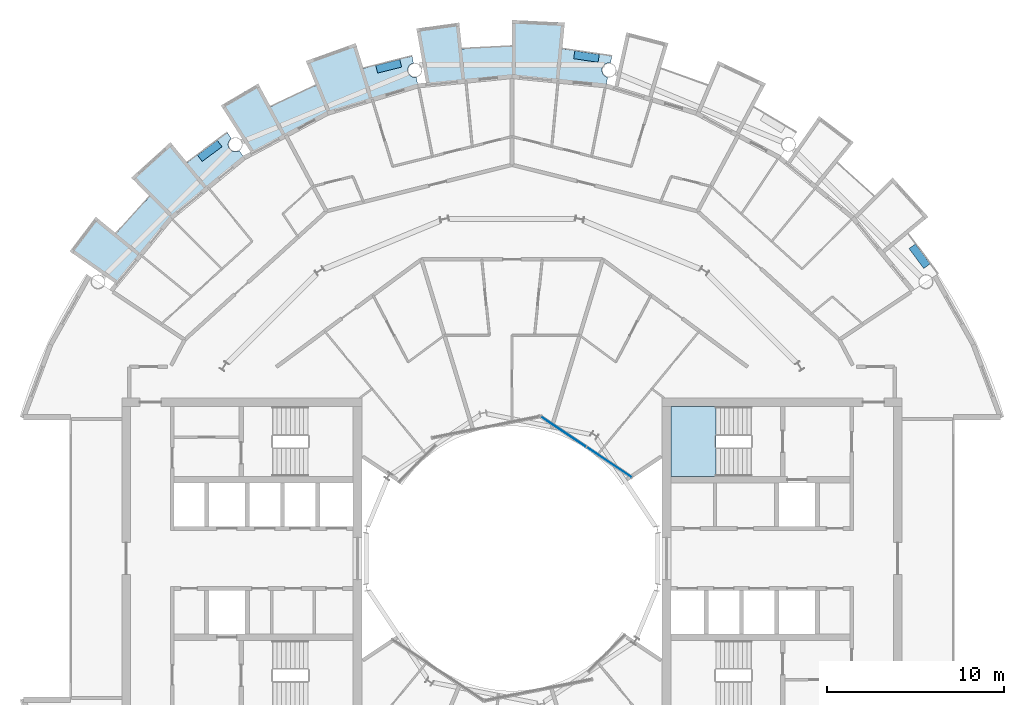
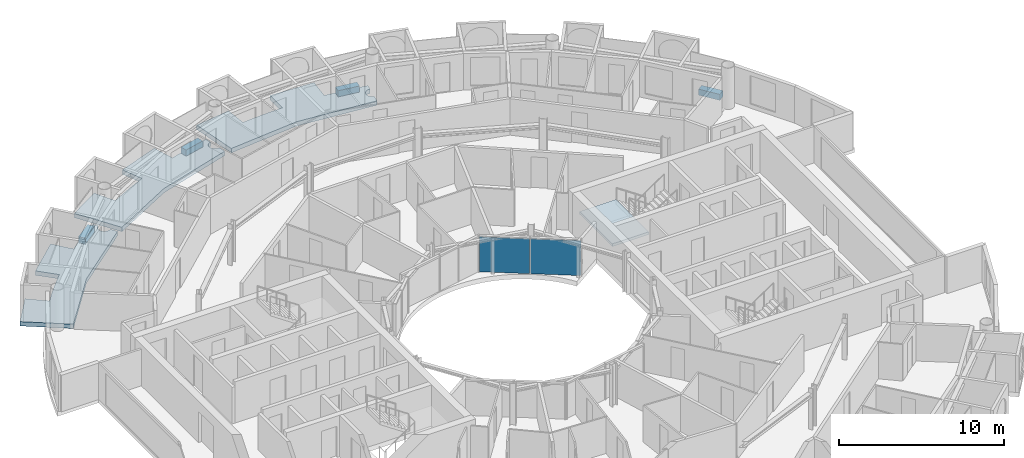
# One storey, part 12 of 26: 8 slabs, 2 plates, 2 elements without a shape of their own.
"""IFC4 building model written with IfcOpenShell, lengths in metres."""

from ifc_helpers import new_model, si_unit, direction, frame, origin, origin_2d, place, context, subcontext, project, spatial, polyline, rectangle, outline, extrude, material, layer, layer_set, type_object, element, aggregate, save


model = new_model("IFC4")

# Units and contexts
model_context = context("Model", 3, precision=1e-05, world=origin(), true_north=direction((0.0, 1.0)))
body_context = subcontext(model_context, "Body", "Model", "MODEL_VIEW")
ifc_project = project(units=[si_unit("LENGTHUNIT", "METRE"), si_unit("AREAUNIT", "SQUARE_METRE"), si_unit("VOLUMEUNIT", "CUBIC_METRE"), si_unit("PLANEANGLEUNIT", "RADIAN"), si_unit("MASSUNIT", "GRAM", prefix="KILO")], contexts=[model_context])

# Site, building, storey
site_placement = place(None, origin())
site = spatial("IfcSite", under=ifc_project, at=site_placement, CompositionType="ELEMENT")
building_placement = place(site_placement, origin())
building = spatial("IfcBuilding", under=site, at=building_placement, Name="Maasbend Ring Residences", CompositionType="ELEMENT")
storey_placement = place(building_placement, frame((0.0, 0.0, 154.35009765625)))
storey = spatial("IfcBuildingStorey", under=building, at=storey_placement, Name="L44", CompositionType="ELEMENT", Elevation=154.35009765625)

# Stair, slab
ifc_material_1 = material(Name="Concrete C40/50", Category="concrete")
stair_type = type_object("IfcStairType", Name="CORE STAIR 18 RISERS", PredefinedType="HALF_TURN_STAIR", material=ifc_material_1)
stair_placement = place(storey_placement, origin())
stair = element("IfcStair", 1, at=stair_placement, inside=storey, type_object=stair_type, Name="L44 Exit stair ST-E1", PredefinedType="HALF_TURN_STAIR")
ifc_material_2 = material(Name="Concrete C40/50", Category="concrete")
ifc_layer_1 = layer(ifc_material_2, 0.199951171875)
ifc_layer_set_1 = layer_set([ifc_layer_1], Name="Concrete C40/50")
slab_type_1 = type_object("IfcSlabType", Name="CORE STAIR LANDING 200", PredefinedType="LANDING", material=ifc_layer_set_1)
slab_1_placement = place(storey_placement, frame((0.0, 0.0, 1.324951171875)))
slab_1 = element("IfcSlab", 2, at=slab_1_placement, type_object=slab_type_1, Name="ST-E1 landing 1", PredefinedType="LANDING", context=body_context, shape_type="SweptSolid", body=[
    extrude(outline(polyline([(11.550048828125, 8.60009765625), (9.0, 8.60009765625), (9.0, 4.64990234375), (11.550048828125, 4.64990234375), (11.550048828125, 8.60009765625)])), origin(), (0.0, 0.0, 1.0), 0.199951171875),
])
aggregate(stair, [slab_1])

# Curtain wall, plates
ifc_material_3 = material(Name="Aluminium and clear glass", Category="aluminium")
ifc_layer_2 = layer(ifc_material_3, 0.179931640625)
ifc_layer_set_2 = layer_set([ifc_layer_2], Name="CW-W")
curtain_wall_type = type_object("IfcCurtainWallType", Name="CW-W", PredefinedType="NOTDEFINED", material=ifc_layer_set_2)
curtain_wall_placement = place(storey_placement, origin())
curtain_wall = element("IfcCurtainWall", 3, at=curtain_wall_placement, inside=storey, type_object=curtain_wall_type, Name="Well curtain wall N1", PredefinedType="NOTDEFINED")
ifc_material_4 = material(Name="Glass clear laminated", Category="glass")
ifc_layer_3 = layer(ifc_material_4, 0.031982421875)
ifc_layer_set_3 = layer_set([ifc_layer_3], Name="CWP-W")
plate_type = type_object("IfcPlateType", Name="CWP-W", PredefinedType="CURTAIN_PANEL", material=ifc_layer_set_3)
plate_1_placement = place(storey_placement, frame((5.51123046875, 5.44580078125, -0.000244140625), z_axis=(0.0, 0.0, 1.0), x_axis=(-0.831469612303, 0.55557023302, 0.0)))
plate_1 = element("IfcPlate", 4, at=plate_1_placement, type_object=plate_type, Name="Glass panel well face", PredefinedType="CURTAIN_PANEL", context=body_context, shape_type="SweptSolid", body=[
    extrude(rectangle(XDim=3.053955078125, YDim=0.031982421875, at=origin_2d()), origin(), (0.0, 0.0, 1.0), 2.580078125),
])
plate_2_placement = place(storey_placement, frame((2.922119140625, 7.17578125, -0.000244140625), z_axis=(0.0, 0.0, 1.0), x_axis=(-0.831469612303, 0.55557023302, 0.0)))
plate_2 = element("IfcPlate", 5, at=plate_2_placement, type_object=plate_type, Name="Glass panel well face", PredefinedType="CURTAIN_PANEL", context=body_context, shape_type="SweptSolid", body=[
    extrude(rectangle(XDim=3.053955078125, YDim=0.031982421875, at=origin_2d()), origin(), (0.0, 0.0, 1.0), 2.580078125),
])
aggregate(curtain_wall, [plate_1, plate_2])

# Slabs
ifc_material_5 = material(Name="Planting with climbing greenery")
ifc_layer_4 = layer(ifc_material_5, 0.449951171875)
ifc_layer_set_4 = layer_set([ifc_layer_4], Name="PLANTER-LG")
slab_type_2 = type_object("IfcSlabType", Name="PLANTER-LG", PredefinedType="USERDEFINED", material=ifc_layer_set_4)
slab_2_placement = place(storey_placement, frame((0.0, 0.0, -0.030029296875)))
element("IfcSlab", 6, at=slab_2_placement, inside=storey, type_object=slab_type_2, Name="Planter with climbing greenery 1", ObjectType="PLANTER", PredefinedType="USERDEFINED", context=body_context, shape_type="SweptSolid", body=[
    extrude(outline(polyline([(23.681884765625, 16.69189453125), (22.847900390625, 17.81689453125), (22.487060546875, 17.549072265625), (23.321044921875, 16.424072265625), (23.681884765625, 16.69189453125)])), origin(), (0.0, 0.0, 1.0), 0.449951171875),
])
slab_3_placement = place(storey_placement, frame((0.0, 0.0, -0.030029296875)))
element("IfcSlab", 7, at=slab_3_placement, inside=storey, type_object=slab_type_2, Name="Planter with climbing greenery 3", ObjectType="PLANTER", PredefinedType="USERDEFINED", context=body_context, shape_type="SweptSolid", body=[
    extrude(outline(polyline([(4.94189453125, 28.549072265625), (3.55810546875, 28.75390625), (3.491943359375, 28.30908203125), (4.8759765625, 28.10400390625), (4.94189453125, 28.549072265625)])), origin(), (0.0, 0.0, 1.0), 0.449951171875),
])
slab_4_placement = place(storey_placement, frame((0.0, 0.0, -0.030029296875)))
element("IfcSlab", 8, at=slab_4_placement, inside=storey, type_object=slab_type_2, Name="Planter with climbing greenery 4", ObjectType="PLANTER", PredefinedType="USERDEFINED", context=body_context, shape_type="SweptSolid", body=[
    extrude(outline(polyline([(-6.35888671875, 28.26708984375), (-7.717041015625, 27.927001953125), (-7.60791015625, 27.489990234375), (-6.25, 27.8310546875), (-6.35888671875, 28.26708984375)])), origin(), (0.0, 0.0, 1.0), 0.449951171875),
])
slab_5_placement = place(storey_placement, frame((0.0, 0.0, -0.030029296875)))
element("IfcSlab", 9, at=slab_5_placement, inside=storey, type_object=slab_type_2, Name="Planter with climbing greenery 5", ObjectType="PLANTER", PredefinedType="USERDEFINED", context=body_context, shape_type="SweptSolid", body=[
    extrude(outline(polyline([(-16.69189453125, 23.681884765625), (-17.81689453125, 22.847900390625), (-17.549072265625, 22.487060546875), (-16.424072265625, 23.321044921875), (-16.69189453125, 23.681884765625)])), origin(), (0.0, 0.0, 1.0), 0.449951171875),
])
ifc_material_6 = material(Name="Concrete C40/50", Category="concrete")
ifc_layer_5 = layer(ifc_material_6, 0.199951171875)
ifc_layer_set_5 = layer_set([ifc_layer_5], Name="Concrete C40/50")
slab_type_3 = type_object("IfcSlabType", Name="SL-LOGGIA", PredefinedType="FLOOR", material=ifc_layer_set_5)
slab_6_placement = place(storey_placement, frame((0.0, 0.0, -0.35009765625)))
element("IfcSlab", 10, at=slab_6_placement, inside=storey, type_object=slab_type_3, Name="Loggia floor 2", PredefinedType="FLOOR", context=body_context, shape_type="SweptSolid", body=[
    extrude(outline(polyline([(-13.6708984375, 25.575927734375), (-13.6708984375, 25.575927734375), (-13.6708984375, 25.575927734375), (-13.6708984375, 25.575927734375), (-13.6708984375, 25.575927734375), (-13.6708984375, 25.575927734375), (-13.6708984375, 25.575927734375), (-13.669921875, 25.575927734375), (-13.669921875, 25.575927734375), (-13.669921875, 25.575927734375), (-13.669921875, 25.575927734375), (-13.669921875, 25.575927734375), (-13.669921875, 25.575927734375), (-13.669921875, 25.575927734375), (-13.669921875, 25.575927734375), (-13.669921875, 25.575927734375), (-13.669921875, 25.575927734375), (-12.825927734375, 26.009033203125), (-12.825927734375, 26.009033203125), (-11.968994140625, 26.4150390625), (-11.968994140625, 26.4150390625), (-11.097900390625, 26.7919921875), (-11.097900390625, 26.7919921875), (-11.097900390625, 26.7919921875), (-11.097900390625, 26.7919921875), (-11.097900390625, 26.7919921875), (-11.097900390625, 26.7919921875), (-11.097900390625, 26.7919921875), (-11.097900390625, 26.79296875), (-11.097900390625, 26.79296875), (-11.097900390625, 26.79296875), (-11.097900390625, 26.79296875), (-11.097900390625, 26.79296875), (-11.097900390625, 26.79296875), (-11.097900390625, 26.79296875), (-11.097900390625, 26.79296875), (-11.097900390625, 26.79296875), (-11.097900390625, 26.79296875), (-11.672119140625, 28.177978515625), (-11.672119140625, 28.177978515625), (-11.672119140625, 28.177978515625), (-8.85400390625, 29.18701171875), (-8.85400390625, 29.18701171875), (-8.85400390625, 29.18701171875), (-8.41796875, 27.751953125), (-8.41796875, 27.751953125), (-8.41796875, 27.751953125), (-8.41796875, 27.751953125), (-8.41796875, 27.751953125), (-8.41796875, 27.751953125), (-8.41796875, 27.751953125), (-8.41796875, 27.7509765625), (-8.41796875, 27.7509765625), (-8.41796875, 27.7509765625), (-8.41796875, 27.7509765625), (-8.41796875, 27.7509765625), (-8.41796875, 27.7509765625), (-8.41796875, 27.7509765625), (-8.41796875, 27.7509765625), (-8.41796875, 27.7509765625), (-8.41796875, 27.7509765625), (-7.506103515625, 28.011962890625), (-7.506103515625, 28.011962890625), (-6.5849609375, 28.241943359375), (-6.5849609375, 28.241943359375), (-5.657958984375, 28.443115234375), (-5.657958984375, 28.443115234375), (-5.657958984375, 28.443115234375), (-5.5810546875, 28.056884765625), (-5.591064453125, 28.054931640625), (-5.60009765625, 28.052001953125), (-5.610107421875, 28.050048828125), (-5.6201171875, 28.047119140625), (-5.62890625, 28.0439453125), (-5.637939453125, 28.041015625), (-5.64794921875, 28.037109375), (-5.656982421875, 28.033935546875), (-5.666015625, 28.030029296875), (-5.675048828125, 28.02587890625), (-5.68408203125, 28.02099609375), (-5.693115234375, 28.01708984375), (-5.701904296875, 28.011962890625), (-5.7099609375, 28.007080078125), (-5.718994140625, 28.001953125), (-5.72705078125, 27.99609375), (-5.736083984375, 27.989990234375), (-5.743896484375, 27.985107421875), (-5.751953125, 27.97900390625), (-5.759033203125, 27.971923828125), (-5.76708984375, 27.966064453125), (-5.77392578125, 27.958984375), (-5.781982421875, 27.952880859375), (-5.7890625, 27.946044921875), (-5.7958984375, 27.93798828125), (-5.802978515625, 27.930908203125), (-5.80908203125, 27.924072265625), (-5.81591796875, 27.916015625), (-5.822021484375, 27.907958984375), (-5.827880859375, 27.89990234375), (-5.833984375, 27.89208984375), (-5.839111328125, 27.884033203125), (-5.844970703125, 27.8759765625), (-5.85009765625, 27.866943359375), (-5.85498046875, 27.85791015625), (-5.860107421875, 27.85009765625), (-5.864990234375, 27.841064453125), (-5.868896484375, 27.83203125), (-5.873046875, 27.822998046875), (-5.876953125, 27.81396484375), (-5.881103515625, 27.803955078125), (-5.884033203125, 27.794921875), (-5.886962890625, 27.785888671875), (-5.889892578125, 27.77587890625), (-5.89306640625, 27.76708984375), (-5.89599609375, 27.757080078125), (-5.89794921875, 27.7470703125), (-5.89990234375, 27.737060546875), (-5.902099609375, 27.72802734375), (-5.904052734375, 27.718017578125), (-5.905029296875, 27.7080078125), (-5.906005859375, 27.697998046875), (-5.906982421875, 27.68798828125), (-5.907958984375, 27.677978515625), (-5.907958984375, 27.66796875), (-5.907958984375, 27.657958984375), (-5.907958984375, 27.64794921875), (-5.907958984375, 27.637939453125), (-5.906982421875, 27.6279296875), (-5.906005859375, 27.617919921875), (-5.905029296875, 27.60791015625), (-5.904052734375, 27.597900390625), (-5.902099609375, 27.589111328125), (-5.89990234375, 27.5791015625), (-5.89794921875, 27.569091796875), (-5.89599609375, 27.55908203125), (-5.89306640625, 27.550048828125), (-5.889892578125, 27.5400390625), (-5.886962890625, 27.531005859375), (-5.884033203125, 27.52099609375), (-5.881103515625, 27.511962890625), (-5.876953125, 27.5029296875), (-5.873046875, 27.492919921875), (-5.868896484375, 27.48388671875), (-5.864990234375, 27.47509765625), (-5.860107421875, 27.466064453125), (-5.85498046875, 27.4580078125), (-5.85009765625, 27.448974609375), (-5.844970703125, 27.44091796875), (-5.839111328125, 27.431884765625), (-5.833984375, 27.424072265625), (-5.827880859375, 27.416015625), (-5.822021484375, 27.407958984375), (-5.81591796875, 27.39990234375), (-5.80908203125, 27.39306640625), (-5.802978515625, 27.385009765625), (-5.7958984375, 27.3779296875), (-5.7890625, 27.37109375), (-5.781982421875, 27.364013671875), (-5.77392578125, 27.35693359375), (-5.76708984375, 27.35009765625), (-5.759033203125, 27.343994140625), (-5.751953125, 27.337890625), (-5.743896484375, 27.33203125), (-5.736083984375, 27.325927734375), (-5.72705078125, 27.320068359375), (-5.718994140625, 27.31494140625), (-5.7099609375, 27.30908203125), (-5.701904296875, 27.303955078125), (-5.693115234375, 27.300048828125), (-5.68408203125, 27.294921875), (-5.675048828125, 27.291015625), (-5.666015625, 27.285888671875), (-5.656982421875, 27.282958984375), (-5.64794921875, 27.279052734375), (-5.637939453125, 27.27490234375), (-5.62890625, 27.27197265625), (-5.6201171875, 27.26904296875), (-5.610107421875, 27.26611328125), (-5.60009765625, 27.263916015625), (-5.591064453125, 27.260986328125), (-5.5810546875, 27.259033203125), (-5.571044921875, 27.258056640625), (-5.56103515625, 27.256103515625), (-5.551025390625, 27.2548828125), (-5.541015625, 27.25390625), (-5.531005859375, 27.2529296875), (-5.52099609375, 27.251953125), (-5.510986328125, 27.251953125), (-5.501953125, 27.251953125), (-5.491943359375, 27.251953125), (-5.48193359375, 27.251953125), (-5.471923828125, 27.2529296875), (-5.4619140625, 27.25390625), (-5.451904296875, 27.2548828125), (-5.44189453125, 27.256103515625), (-5.431884765625, 27.258056640625), (-5.422119140625, 27.259033203125), (-5.325927734375, 26.77490234375), (-5.325927734375, 26.77490234375), (-5.325927734375, 26.77490234375), (-7.886962890625, 25.9990234375), (-10.447021484375, 25.221923828125), (-10.447021484375, 25.221923828125), (-10.447021484375, 25.221923828125), (-12.806884765625, 23.9609375), (-14.73291015625, 22.930908203125), (-14.73291015625, 22.930908203125), (-14.73291015625, 22.930908203125), (-16.487060546875, 25.659912109375), (-16.487060546875, 25.659912109375), (-16.487060546875, 25.659912109375), (-14.3779296875, 26.89892578125), (-14.3779296875, 26.89892578125), (-14.3779296875, 26.89892578125), (-13.6708984375, 25.575927734375)])), origin(), (0.0, 0.0, 1.0), 0.320068359375),
])
slab_7_placement = place(storey_placement, frame((0.0, 0.0, -0.35009765625)))
element("IfcSlab", 11, at=slab_7_placement, inside=storey, type_object=slab_type_3, Name="Loggia floor 3", PredefinedType="FLOOR", context=body_context, shape_type="SweptSolid", body=[
    extrude(outline(polyline([(-2.843017578125, 28.861083984375), (-2.843017578125, 28.861083984375), (-2.843017578125, 28.861083984375), (-2.843017578125, 28.861083984375), (-2.842041015625, 28.861083984375), (-2.842041015625, 28.861083984375), (-2.842041015625, 28.861083984375), (-2.842041015625, 28.861083984375), (-2.842041015625, 28.861083984375), (-2.842041015625, 28.860107421875), (-2.842041015625, 28.860107421875), (-2.842041015625, 28.860107421875), (-2.842041015625, 28.860107421875), (-2.842041015625, 28.860107421875), (-2.842041015625, 28.860107421875), (-2.842041015625, 28.860107421875), (-2.842041015625, 28.860107421875), (-1.89697265625, 28.93798828125), (-1.89697265625, 28.93798828125), (-0.948974609375, 28.98388671875), (-0.948974609375, 28.98388671875), (0.0, 29.0), (0.0, 29.0), (0.0, 29.0), (0.0, 29.0), (0.0, 29.0), (0.0, 29.0), (0.0, 29.0), (0.0, 29.0), (0.0, 29.0), (0.0, 29.0), (0.0, 29.0), (0.0, 29.0), (0.0, 29.0), (0.0, 29.0), (0.0, 29.0), (0.0, 29.0), (0.0, 29.0), (0.0, 30.5), (0.0, 30.5), (0.0, 30.5), (2.989990234375, 30.35302734375), (2.989990234375, 30.35302734375), (2.989990234375, 30.35302734375), (2.843017578125, 28.861083984375), (2.843017578125, 28.861083984375), (2.843017578125, 28.861083984375), (2.843017578125, 28.861083984375), (2.843017578125, 28.861083984375), (2.843017578125, 28.861083984375), (2.843017578125, 28.861083984375), (2.843017578125, 28.861083984375), (2.843017578125, 28.860107421875), (2.843017578125, 28.860107421875), (2.843017578125, 28.860107421875), (2.843017578125, 28.860107421875), (2.843017578125, 28.860107421875), (2.843017578125, 28.860107421875), (2.843017578125, 28.860107421875), (2.843017578125, 28.860107421875), (2.843017578125, 28.860107421875), (3.784912109375, 28.751953125), (3.784912109375, 28.751953125), (4.72412109375, 28.613037109375), (4.72412109375, 28.613037109375), (5.657958984375, 28.443115234375), (5.657958984375, 28.443115234375), (5.657958984375, 28.443115234375), (5.5810546875, 28.056884765625), (5.5810546875, 28.056884765625), (5.571044921875, 28.05908203125), (5.56103515625, 28.06005859375), (5.551025390625, 28.06201171875), (5.541015625, 28.06298828125), (5.531005859375, 28.06298828125), (5.52099609375, 28.06396484375), (5.510986328125, 28.06396484375), (5.501953125, 28.06494140625), (5.491943359375, 28.06396484375), (5.48193359375, 28.06396484375), (5.471923828125, 28.06298828125), (5.4619140625, 28.06298828125), (5.451904296875, 28.06201171875), (5.44189453125, 28.06005859375), (5.431884765625, 28.05908203125), (5.422119140625, 28.056884765625), (5.412109375, 28.054931640625), (5.403076171875, 28.052001953125), (5.39306640625, 28.050048828125), (5.383056640625, 28.047119140625), (5.3740234375, 28.0439453125), (5.364990234375, 28.041015625), (5.35498046875, 28.037109375), (5.345947265625, 28.033935546875), (5.3369140625, 28.030029296875), (5.327880859375, 28.02587890625), (5.319091796875, 28.02099609375), (5.31005859375, 28.01708984375), (5.301025390625, 28.011962890625), (5.29296875, 28.007080078125), (5.283935546875, 28.001953125), (5.27587890625, 27.99609375), (5.26708984375, 27.989990234375), (5.259033203125, 27.985107421875), (5.2509765625, 27.97900390625), (5.243896484375, 27.971923828125), (5.236083984375, 27.966064453125), (5.22900390625, 27.958984375), (5.220947265625, 27.952880859375), (5.214111328125, 27.946044921875), (5.20703125, 27.93798828125), (5.199951171875, 27.930908203125), (5.194091796875, 27.924072265625), (5.18701171875, 27.916015625), (5.180908203125, 27.907958984375), (5.175048828125, 27.89990234375), (5.1689453125, 27.89208984375), (5.1640625, 27.884033203125), (5.157958984375, 27.8759765625), (5.153076171875, 27.866943359375), (5.14794921875, 27.85791015625), (5.14306640625, 27.85009765625), (5.137939453125, 27.841064453125), (5.134033203125, 27.83203125), (5.1298828125, 27.822998046875), (5.1259765625, 27.81396484375), (5.1220703125, 27.803955078125), (5.118896484375, 27.794921875), (5.115966796875, 27.785888671875), (5.113037109375, 27.77587890625), (5.110107421875, 27.76708984375), (5.10693359375, 27.757080078125), (5.10498046875, 27.7470703125), (5.10302734375, 27.737060546875), (5.10107421875, 27.72802734375), (5.09912109375, 27.718017578125), (5.097900390625, 27.7080078125), (5.096923828125, 27.697998046875), (5.095947265625, 27.68798828125), (5.094970703125, 27.677978515625), (5.094970703125, 27.66796875), (5.094970703125, 27.657958984375), (5.094970703125, 27.64794921875), (5.094970703125, 27.637939453125), (5.095947265625, 27.6279296875), (5.096923828125, 27.617919921875), (5.097900390625, 27.60791015625), (5.09912109375, 27.597900390625), (5.10107421875, 27.589111328125), (5.10302734375, 27.5791015625), (5.10498046875, 27.569091796875), (5.10693359375, 27.55908203125), (5.110107421875, 27.550048828125), (5.113037109375, 27.5400390625), (5.115966796875, 27.531005859375), (5.118896484375, 27.52099609375), (5.1220703125, 27.511962890625), (5.1259765625, 27.5029296875), (5.1298828125, 27.492919921875), (5.134033203125, 27.48388671875), (5.137939453125, 27.47509765625), (5.14306640625, 27.466064453125), (5.14794921875, 27.4580078125), (5.153076171875, 27.448974609375), (5.157958984375, 27.44091796875), (5.1640625, 27.431884765625), (5.1689453125, 27.424072265625), (5.175048828125, 27.416015625), (5.180908203125, 27.407958984375), (5.18701171875, 27.39990234375), (5.194091796875, 27.39306640625), (5.199951171875, 27.385009765625), (5.20703125, 27.3779296875), (5.214111328125, 27.37109375), (5.220947265625, 27.364013671875), (5.22900390625, 27.35693359375), (5.236083984375, 27.35009765625), (5.243896484375, 27.343994140625), (5.2509765625, 27.337890625), (5.259033203125, 27.33203125), (5.26708984375, 27.325927734375), (5.27587890625, 27.320068359375), (5.283935546875, 27.31494140625), (5.29296875, 27.30908203125), (5.301025390625, 27.303955078125), (5.31005859375, 27.300048828125), (5.319091796875, 27.294921875), (5.327880859375, 27.291015625), (5.3369140625, 27.285888671875), (5.345947265625, 27.282958984375), (5.35498046875, 27.279052734375), (5.364990234375, 27.27490234375), (5.3740234375, 27.27197265625), (5.383056640625, 27.26904296875), (5.39306640625, 27.26611328125), (5.403076171875, 27.263916015625), (5.412109375, 27.260986328125), (5.422119140625, 27.259033203125), (5.422119140625, 27.259033203125), (5.325927734375, 26.77490234375), (5.325927734375, 26.77490234375), (5.325927734375, 26.77490234375), (2.6630859375, 27.0380859375), (0.0, 27.300048828125), (0.0, 27.300048828125), (0.0, 27.300048828125), (-2.6630859375, 27.0380859375), (-4.8359375, 26.823974609375), (-4.8359375, 26.823974609375), (-4.8359375, 26.823974609375), (-5.412109375, 30.01611328125), (-5.412109375, 30.01611328125), (-5.412109375, 30.01611328125), (-2.989990234375, 30.35302734375), (-2.989990234375, 30.35302734375), (-2.989990234375, 30.35302734375), (-2.843017578125, 28.861083984375)])), origin(), (0.0, 0.0, 1.0), 0.320068359375),
])
slab_8_placement = place(storey_placement, frame((0.0, 0.0, -0.35009765625)))
element("IfcSlab", 12, at=slab_8_placement, inside=storey, type_object=slab_type_3, Name="Loggia floor 5", PredefinedType="FLOOR", context=body_context, shape_type="SweptSolid", body=[
    extrude(outline(polyline([(-22.41796875, 18.39794921875), (-22.41796875, 18.39794921875), (-22.41796875, 18.39794921875), (-22.41796875, 18.39794921875), (-22.41796875, 18.39794921875), (-22.4169921875, 18.39794921875), (-22.4169921875, 18.39794921875), (-22.4169921875, 18.39794921875), (-22.4169921875, 18.39794921875), (-22.4169921875, 18.39794921875), (-22.4169921875, 18.39794921875), (-22.4169921875, 18.39794921875), (-22.4169921875, 18.39794921875), (-22.4169921875, 18.39794921875), (-22.4169921875, 18.39794921875), (-22.4169921875, 18.39794921875), (-22.4169921875, 18.39794921875), (-21.802978515625, 19.12109375), (-21.802978515625, 19.12109375), (-21.166015625, 19.823974609375), (-21.166015625, 19.823974609375), (-20.506103515625, 20.506103515625), (-20.506103515625, 20.506103515625), (-20.506103515625, 20.506103515625), (-20.506103515625, 20.506103515625), (-20.506103515625, 20.506103515625), (-20.506103515625, 20.506103515625), (-20.506103515625, 20.506103515625), (-20.506103515625, 20.506103515625), (-20.506103515625, 20.506103515625), (-20.506103515625, 20.506103515625), (-20.506103515625, 20.506103515625), (-20.506103515625, 20.506103515625), (-20.506103515625, 20.506103515625), (-20.506103515625, 20.506103515625), (-20.506103515625, 20.506103515625), (-20.506103515625, 20.506103515625), (-20.506103515625, 20.506103515625), (-21.56689453125, 21.56689453125), (-21.56689453125, 21.56689453125), (-21.56689453125, 21.56689453125), (-19.34912109375, 23.576904296875), (-19.34912109375, 23.576904296875), (-19.34912109375, 23.576904296875), (-18.39794921875, 22.41796875), (-18.39794921875, 22.41796875), (-18.39794921875, 22.41796875), (-18.39794921875, 22.41796875), (-18.39794921875, 22.41796875), (-18.39794921875, 22.41796875), (-18.39697265625, 22.41796875), (-18.39697265625, 22.41796875), (-18.39697265625, 22.41796875), (-18.39697265625, 22.41796875), (-18.39697265625, 22.41796875), (-18.39697265625, 22.41796875), (-18.39697265625, 22.41796875), (-18.39697265625, 22.41796875), (-18.39697265625, 22.41796875), (-18.39697265625, 22.41796875), (-18.39697265625, 22.41796875), (-17.654052734375, 23.007080078125), (-17.654052734375, 23.007080078125), (-16.89208984375, 23.572998046875), (-16.89208984375, 23.572998046875), (-16.112060546875, 24.113037109375), (-16.112060546875, 24.113037109375), (-16.112060546875, 24.113037109375), (-15.89306640625, 23.784912109375), (-15.89306640625, 23.784912109375), (-15.90087890625, 23.780029296875), (-15.908935546875, 23.77392578125), (-15.9169921875, 23.76806640625), (-15.925048828125, 23.761962890625), (-15.93310546875, 23.7548828125), (-15.93994140625, 23.7490234375), (-15.947021484375, 23.741943359375), (-15.955078125, 23.735107421875), (-15.9619140625, 23.72802734375), (-15.968017578125, 23.719970703125), (-15.97509765625, 23.712890625), (-15.98095703125, 23.705078125), (-15.988037109375, 23.697021484375), (-15.993896484375, 23.68994140625), (-15.9990234375, 23.680908203125), (-16.0048828125, 23.673095703125), (-16.010986328125, 23.6650390625), (-16.01611328125, 23.656005859375), (-16.02099609375, 23.64794921875), (-16.02587890625, 23.638916015625), (-16.030029296875, 23.6298828125), (-16.034912109375, 23.62109375), (-16.0390625, 23.612060546875), (-16.04296875, 23.60302734375), (-16.0458984375, 23.593994140625), (-16.050048828125, 23.583984375), (-16.052978515625, 23.574951171875), (-16.055908203125, 23.56494140625), (-16.05908203125, 23.555908203125), (-16.06103515625, 23.5458984375), (-16.06396484375, 23.535888671875), (-16.06591796875, 23.527099609375), (-16.068115234375, 23.51708984375), (-16.069091796875, 23.507080078125), (-16.071044921875, 23.4970703125), (-16.072021484375, 23.487060546875), (-16.072021484375, 23.47705078125), (-16.072998046875, 23.467041015625), (-16.072998046875, 23.45703125), (-16.073974609375, 23.447021484375), (-16.072998046875, 23.43701171875), (-16.072998046875, 23.427001953125), (-16.072021484375, 23.4169921875), (-16.072021484375, 23.407958984375), (-16.071044921875, 23.39794921875), (-16.069091796875, 23.387939453125), (-16.068115234375, 23.3779296875), (-16.06591796875, 23.367919921875), (-16.06396484375, 23.35791015625), (-16.06103515625, 23.34912109375), (-16.05908203125, 23.339111328125), (-16.055908203125, 23.3291015625), (-16.052978515625, 23.320068359375), (-16.050048828125, 23.31005859375), (-16.0458984375, 23.301025390625), (-16.04296875, 23.2919921875), (-16.0390625, 23.282958984375), (-16.034912109375, 23.27392578125), (-16.030029296875, 23.264892578125), (-16.02587890625, 23.256103515625), (-16.02099609375, 23.2470703125), (-16.01611328125, 23.238037109375), (-16.010986328125, 23.22998046875), (-16.0048828125, 23.221923828125), (-15.9990234375, 23.212890625), (-15.993896484375, 23.205078125), (-15.988037109375, 23.197021484375), (-15.98095703125, 23.18994140625), (-15.97509765625, 23.181884765625), (-15.968017578125, 23.174072265625), (-15.9619140625, 23.1669921875), (-15.955078125, 23.159912109375), (-15.947021484375, 23.153076171875), (-15.93994140625, 23.14599609375), (-15.93310546875, 23.139892578125), (-15.925048828125, 23.133056640625), (-15.9169921875, 23.126953125), (-15.908935546875, 23.12109375), (-15.90087890625, 23.114990234375), (-15.89306640625, 23.10888671875), (-15.885009765625, 23.10400390625), (-15.8759765625, 23.09912109375), (-15.866943359375, 23.093994140625), (-15.85888671875, 23.089111328125), (-15.85009765625, 23.083984375), (-15.841064453125, 23.080078125), (-15.83203125, 23.075927734375), (-15.822998046875, 23.072021484375), (-15.81298828125, 23.068115234375), (-15.803955078125, 23.06494140625), (-15.794921875, 23.06103515625), (-15.784912109375, 23.05810546875), (-15.77587890625, 23.055908203125), (-15.76611328125, 23.052978515625), (-15.756103515625, 23.051025390625), (-15.74609375, 23.049072265625), (-15.737060546875, 23.047119140625), (-15.72705078125, 23.044921875), (-15.717041015625, 23.0439453125), (-15.70703125, 23.04296875), (-15.697021484375, 23.0419921875), (-15.68701171875, 23.041015625), (-15.677001953125, 23.041015625), (-15.6669921875, 23.041015625), (-15.656982421875, 23.041015625), (-15.64697265625, 23.041015625), (-15.636962890625, 23.0419921875), (-15.626953125, 23.04296875), (-15.616943359375, 23.0439453125), (-15.60693359375, 23.044921875), (-15.597900390625, 23.047119140625), (-15.587890625, 23.049072265625), (-15.577880859375, 23.051025390625), (-15.568115234375, 23.052978515625), (-15.55908203125, 23.055908203125), (-15.549072265625, 23.05810546875), (-15.5400390625, 23.06103515625), (-15.530029296875, 23.06494140625), (-15.52099609375, 23.068115234375), (-15.511962890625, 23.072021484375), (-15.501953125, 23.075927734375), (-15.492919921875, 23.080078125), (-15.48388671875, 23.083984375), (-15.47509765625, 23.089111328125), (-15.467041015625, 23.093994140625), (-15.4580078125, 23.09912109375), (-15.449951171875, 23.10400390625), (-15.44091796875, 23.10888671875), (-15.44091796875, 23.10888671875), (-15.1669921875, 22.698974609375), (-15.1669921875, 22.698974609375), (-15.1669921875, 22.698974609375), (-17.236083984375, 21.001953125), (-19.303955078125, 19.303955078125), (-19.303955078125, 19.303955078125), (-19.303955078125, 19.303955078125), (-21.001953125, 17.236083984375), (-22.386962890625, 15.547119140625), (-22.386962890625, 15.547119140625), (-22.386962890625, 15.547119140625), (-25.051025390625, 17.39794921875), (-25.051025390625, 17.39794921875), (-25.051025390625, 17.39794921875), (-23.576904296875, 19.34912109375), (-23.576904296875, 19.34912109375), (-23.576904296875, 19.34912109375), (-22.41796875, 18.39794921875)])), origin(), (0.0, 0.0, 1.0), 0.320068359375),
])

save(model, "model.ifc")
